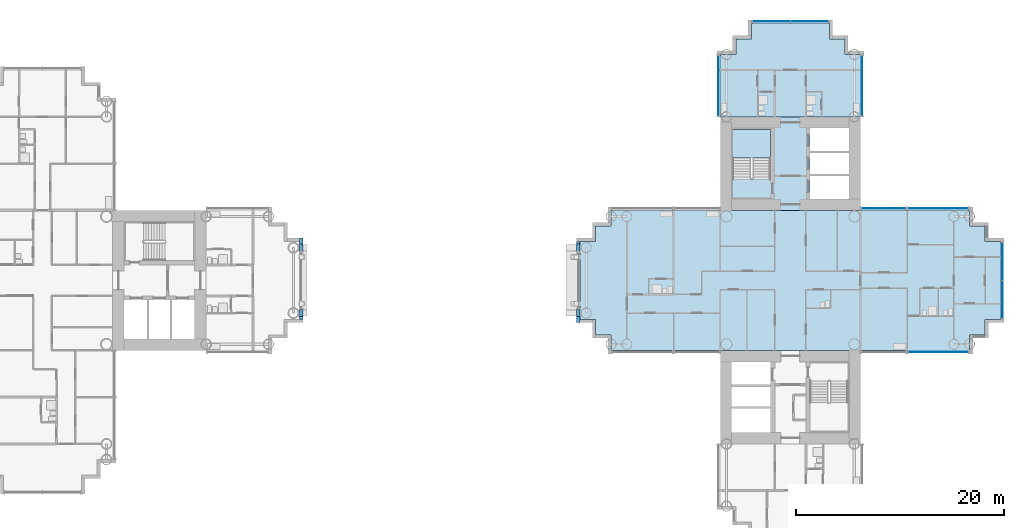
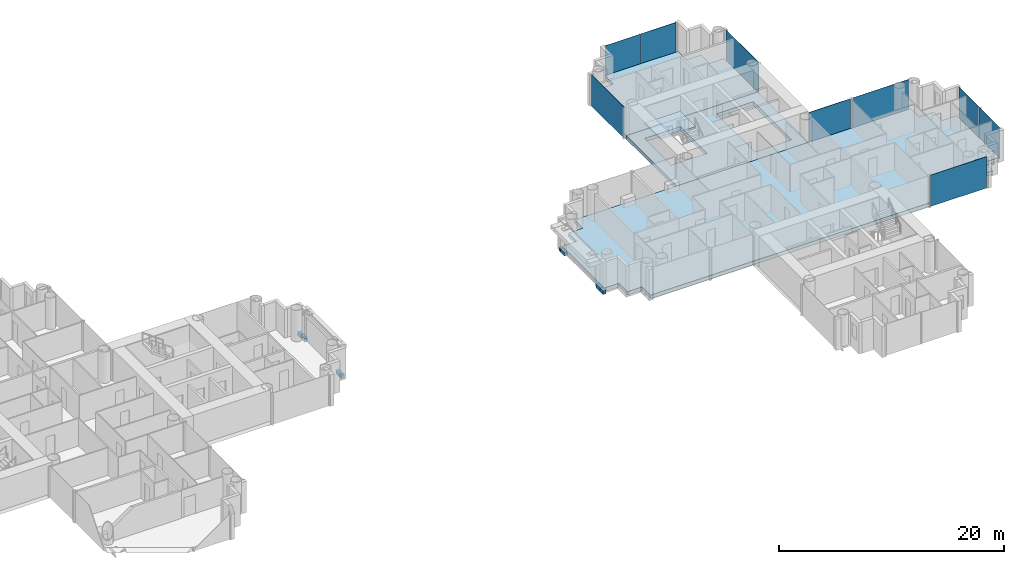
# One storey, part 8 of 22: 12 slabs, 9 plates, 8 elements without a shape of their own.
"""IFC4 building model written with IfcOpenShell, lengths in metres."""

from ifc_helpers import new_model, si_unit, direction, frame, origin, origin_2d, place, context, subcontext, project, spatial, polyline, rectangle, outline, extrude, material, layer, layer_set, type_object, element, aggregate, save


model = new_model("IFC4")

# Units and contexts
model_context = context("Model", 3, precision=1e-05, world=origin(), true_north=direction((0.0, 1.0)))
body_context = subcontext(model_context, "Body", "Model", "MODEL_VIEW")
ifc_project = project(units=[si_unit("LENGTHUNIT", "METRE"), si_unit("AREAUNIT", "SQUARE_METRE"), si_unit("VOLUMEUNIT", "CUBIC_METRE"), si_unit("PLANEANGLEUNIT", "RADIAN"), si_unit("MASSUNIT", "GRAM", prefix="KILO")], contexts=[model_context])

# Site, building, storey
site_placement = place(None, origin())
site = spatial("IfcSite", under=ifc_project, at=site_placement, CompositionType="ELEMENT")
building_placement = place(site_placement, origin())
building = spatial("IfcBuilding", under=site, at=building_placement, Name="Ipe Terrace Towers", CompositionType="ELEMENT")
storey_placement = place(building_placement, frame((0.0, 0.0, 68.699951171875)))
storey = spatial("IfcBuildingStorey", under=building, at=storey_placement, Name="L18", CompositionType="ELEMENT", Elevation=68.699951171875)

# Slab
ifc_material_1 = material(Name="Concrete C30/37", Category="concrete")
ifc_layer_1 = layer(ifc_material_1, 0.39990234375)
ifc_layer_set_1 = layer_set([ifc_layer_1], Name="CORE FLOOR SLAB 400 C30-37")
slab_type_1 = type_object("IfcSlabType", Name="CORE FLOOR SLAB 400 C30-37", PredefinedType="FLOOR", material=ifc_layer_set_1)
slab_1_placement = place(storey_placement, frame((0.0, 0.0, -0.39990234375)))
element("IfcSlab", 1, at=slab_1_placement, inside=storey, type_object=slab_type_1, Name="Core floor T2-C1", PredefinedType="FLOOR", context=body_context, shape_type="SweptSolid", body=[
    extrude(outline(polyline([(29.25, 6.75), (29.25, 15.75), (42.75, 15.75), (42.75, 6.75), (29.25, 6.75)]), holes=[polyline([(41.64990234375, 7.85009765625), (41.64990234375, 14.64990234375), (37.89990234375, 14.64990234375), (37.89990234375, 7.85009765625), (41.64990234375, 7.85009765625)]), polyline([(30.449951171875, 9.800048828125), (34.10009765625, 9.800048828125), (34.10009765625, 14.550048828125), (30.449951171875, 14.550048828125), (30.449951171875, 9.800048828125)])]), origin(), (0.0, 0.0, 1.0), 0.39990234375),
])

# Stair, slab
ifc_material_2 = material(Name="Concrete C30/37", Category="concrete")
stair_type = type_object("IfcStairType", Name="Protected exit stair", PredefinedType="HALF_TURN_STAIR", material=ifc_material_2)
stair_placement = place(storey_placement, origin())
stair = element("IfcStair", 2, at=stair_placement, inside=storey, type_object=stair_type, Name="L18 Exit stair T2-C1", PredefinedType="HALF_TURN_STAIR")
ifc_material_3 = material(Name="Concrete C30/37", Category="concrete")
ifc_layer_2 = layer(ifc_material_3, 0.199951171875)
ifc_layer_set_2 = layer_set([ifc_layer_2], Name="Exit stair landing 200")
slab_type_2 = type_object("IfcSlabType", Name="Exit stair landing 200", PredefinedType="LANDING", material=ifc_layer_set_2)
slab_2_placement = place(storey_placement, frame((0.0, 0.0, 1.5)))
slab_2 = element("IfcSlab", 3, at=slab_2_placement, type_object=slab_type_2, Name="T2-ST1 landing 1", PredefinedType="LANDING", context=body_context, shape_type="SweptSolid", body=[
    extrude(outline(polyline([(34.10009765625, 11.780029296875), (34.10009765625, 14.550048828125), (30.449951171875, 14.550048828125), (30.449951171875, 11.780029296875), (34.10009765625, 11.780029296875)])), origin(), (0.0, 0.0, 1.0), 0.199951171875),
])
aggregate(stair, [slab_2])

# Slabs
ifc_material_4 = material(Name="Concrete C40/50", Category="concrete")
ifc_layer_3 = layer(ifc_material_4, 0.39990234375)
ifc_layer_set_3 = layer_set([ifc_layer_3], Name="FLAT PLATE SLAB 400 C40-50")
slab_type_3 = type_object("IfcSlabType", Name="FLAT PLATE SLAB 400 C40-50", PredefinedType="FLOOR", material=ifc_layer_set_3)
slab_3_placement = place(storey_placement, frame((0.0, 0.0, -0.39990234375)))
element("IfcSlab", 4, at=slab_3_placement, inside=storey, type_object=slab_type_3, Name="Slab T2-FS-Z11", PredefinedType="FLOOR", context=body_context, shape_type="SweptSolid", body=[
    extrude(outline(polyline([(53.25, 5.25), (54.75, 5.25), (54.75, 3.75), (56.25, 3.75), (56.25, -3.75), (54.75, -3.75), (54.75, -5.25), (53.25, -5.25), (53.25, -6.75), (42.75, -6.75), (29.25, -6.75), (18.75, -6.75), (18.75, -5.25), (17.25, -5.25), (17.25, -3.75), (15.75, -3.75), (15.75, 3.75), (17.25, 3.75), (17.25, 5.25), (18.75, 5.25), (18.75, 6.75), (29.25, 6.75), (42.75, 6.75), (53.25, 6.75), (53.25, 5.25)])), origin(), (0.0, 0.0, 1.0), 0.39990234375),
])
slab_4_placement = place(storey_placement, frame((0.0, 0.0, -0.39990234375)))
element("IfcSlab", 5, at=slab_4_placement, inside=storey, type_object=slab_type_3, Name="Slab T2-FS-Z13", PredefinedType="FLOOR", context=body_context, shape_type="SweptSolid", body=[
    extrude(outline(polyline([(30.75, 21.75), (30.75, 23.25), (32.25, 23.25), (32.25, 24.75), (39.75, 24.75), (39.75, 23.25), (41.25, 23.25), (41.25, 21.75), (42.75, 21.75), (42.75, 15.75), (29.25, 15.75), (29.25, 21.75), (30.75, 21.75)])), origin(), (0.0, 0.0, 1.0), 0.39990234375),
])
slab_5_placement = place(storey_placement, frame((0.0, 0.0, -0.39990234375)))
element("IfcSlab", 6, at=slab_5_placement, inside=storey, type_object=slab_type_3, Name="Slab ledge", PredefinedType="FLOOR", context=body_context, shape_type="SweptSolid", body=[
    extrude(outline(polyline([(-11.25, -3.75), (-11.25, -3.5), (-10.929931640625, -3.5), (-10.929931640625, -3.75), (-11.25, -3.75)])), origin(), (0.0, 0.0, 1.0), 0.39990234375),
])
slab_6_placement = place(storey_placement, frame((0.0, 0.0, -0.39990234375)))
element("IfcSlab", 7, at=slab_6_placement, inside=storey, type_object=slab_type_3, Name="Slab ledge", PredefinedType="FLOOR", context=body_context, shape_type="SweptSolid", body=[
    extrude(outline(polyline([(-11.25, -3.5), (-11.25, -2.800048828125), (-10.929931640625, -2.800048828125), (-10.929931640625, -3.5), (-11.25, -3.5)])), origin(), (0.0, 0.0, 1.0), 0.39990234375),
])
slab_7_placement = place(storey_placement, frame((0.0, 0.0, -0.39990234375)))
element("IfcSlab", 8, at=slab_7_placement, inside=storey, type_object=slab_type_3, Name="Slab ledge", PredefinedType="FLOOR", context=body_context, shape_type="SweptSolid", body=[
    extrude(outline(polyline([(-11.25, 2.800048828125), (-11.25, 3.5), (-10.929931640625, 3.5), (-10.929931640625, 2.800048828125), (-11.25, 2.800048828125)])), origin(), (0.0, 0.0, 1.0), 0.39990234375),
])
slab_8_placement = place(storey_placement, frame((0.0, 0.0, -0.39990234375)))
element("IfcSlab", 9, at=slab_8_placement, inside=storey, type_object=slab_type_3, Name="Slab ledge", PredefinedType="FLOOR", context=body_context, shape_type="SweptSolid", body=[
    extrude(outline(polyline([(-11.25, 3.5), (-11.25, 4.070068359375), (-10.929931640625, 4.070068359375), (-10.929931640625, 3.5), (-11.25, 3.5)])), origin(), (0.0, 0.0, 1.0), 0.39990234375),
])
slab_9_placement = place(storey_placement, frame((0.0, 0.0, -0.39990234375)))
element("IfcSlab", 10, at=slab_9_placement, inside=storey, type_object=slab_type_3, Name="Slab ledge", PredefinedType="FLOOR", context=body_context, shape_type="SweptSolid", body=[
    extrude(outline(polyline([(15.75, 3.75), (15.75, 3.5), (15.429931640625, 3.5), (15.429931640625, 3.75), (15.75, 3.75)])), origin(), (0.0, 0.0, 1.0), 0.39990234375),
])
slab_10_placement = place(storey_placement, frame((0.0, 0.0, -0.39990234375)))
element("IfcSlab", 11, at=slab_10_placement, inside=storey, type_object=slab_type_3, Name="Slab ledge", PredefinedType="FLOOR", context=body_context, shape_type="SweptSolid", body=[
    extrude(outline(polyline([(15.75, 3.5), (15.75, 2.800048828125), (15.429931640625, 2.800048828125), (15.429931640625, 3.5), (15.75, 3.5)])), origin(), (0.0, 0.0, 1.0), 0.39990234375),
])
slab_11_placement = place(storey_placement, frame((0.0, 0.0, -0.39990234375)))
element("IfcSlab", 12, at=slab_11_placement, inside=storey, type_object=slab_type_3, Name="Slab ledge", PredefinedType="FLOOR", context=body_context, shape_type="SweptSolid", body=[
    extrude(outline(polyline([(15.75, -2.800048828125), (15.75, -3.5), (15.429931640625, -3.5), (15.429931640625, -2.800048828125), (15.75, -2.800048828125)])), origin(), (0.0, 0.0, 1.0), 0.39990234375),
])
slab_12_placement = place(storey_placement, frame((0.0, 0.0, -0.39990234375)))
element("IfcSlab", 13, at=slab_12_placement, inside=storey, type_object=slab_type_3, Name="Slab ledge", PredefinedType="FLOOR", context=body_context, shape_type="SweptSolid", body=[
    extrude(outline(polyline([(15.75, -3.5), (15.75, -4.070068359375), (15.429931640625, -4.070068359375), (15.429931640625, -3.5), (15.75, -3.5)])), origin(), (0.0, 0.0, 1.0), 0.39990234375),
])

# Curtain wall, plate
ifc_material_5 = material(Name="Aluminium alloy 6063-T6", Category="aluminium")
ifc_layer_4 = layer(ifc_material_5, 0.320068359375)
ifc_layer_set_4 = layer_set([ifc_layer_4], Name="TOWER UNITISED CURTAIN WALL")
curtain_wall_type = type_object("IfcCurtainWallType", Name="TOWER UNITISED CURTAIN WALL", PredefinedType="NOTDEFINED", material=ifc_layer_set_4)
curtain_wall_1_placement = place(storey_placement, origin())
curtain_wall_1 = element("IfcCurtainWall", 14, at=curtain_wall_1_placement, inside=storey, type_object=curtain_wall_type, Name="T2-CW-L18-07a curtain wall", PredefinedType="NOTDEFINED")
ifc_material_6 = material(Name="Glass, clear laminated", Category="glass")
ifc_layer_5 = layer(ifc_material_6, 0.031982421875)
ifc_layer_set_5 = layer_set([ifc_layer_5], Name="TOWER UNITISED GLASS PANEL 32")
plate_type = type_object("IfcPlateType", Name="TOWER UNITISED GLASS PANEL 32", PredefinedType="CURTAIN_PANEL", material=ifc_layer_set_5)
plate_1_placement = place(storey_placement, frame((50.25, -6.909912109375, -0.2998046875), z_axis=(0.0, 0.0, 1.0), x_axis=(1.0, 0.0, 0.0)))
plate_1 = element("IfcPlate", 15, at=plate_1_placement, type_object=plate_type, Name="T2-CW-L18-07a panel 1", PredefinedType="CURTAIN_PANEL", context=body_context, shape_type="SweptSolid", body=[
    extrude(rectangle(XDim=5.760009765625, YDim=0.031982421875, at=origin_2d()), origin(), (0.0, 0.0, 1.0), 3.39990234375),
])
aggregate(curtain_wall_1, [plate_1])

# Curtain wall, plates
curtain_wall_2_placement = place(storey_placement, origin())
curtain_wall_2 = element("IfcCurtainWall", 16, at=curtain_wall_2_placement, inside=storey, type_object=curtain_wall_type, Name="T2-CW-L18-12a curtain wall", PredefinedType="NOTDEFINED")
plate_2_placement = place(storey_placement, frame((56.409912109375, -1.831298828125, -0.2998046875), z_axis=(0.0, 0.0, 1.0), x_axis=(0.0, 1.0, 0.0)))
plate_2 = element("IfcPlate", 17, at=plate_2_placement, type_object=plate_type, Name="T2-CW-L18-12a panel 1", PredefinedType="CURTAIN_PANEL", context=body_context, shape_type="SweptSolid", body=[
    extrude(rectangle(XDim=3.597412109375, YDim=0.031982421875, at=origin_2d()), origin(), (0.0, 0.0, 1.0), 3.39990234375),
])
plate_3_placement = place(storey_placement, frame((56.409912109375, 1.831298828125, -0.2998046875), z_axis=(0.0, 0.0, 1.0), x_axis=(0.0, 1.0, 0.0)))
plate_3 = element("IfcPlate", 18, at=plate_3_placement, type_object=plate_type, Name="T2-CW-L18-12a panel 2", PredefinedType="CURTAIN_PANEL", context=body_context, shape_type="SweptSolid", body=[
    extrude(rectangle(XDim=3.597412109375, YDim=0.031982421875, at=origin_2d()), origin(), (0.0, 0.0, 1.0), 3.39990234375),
])
aggregate(curtain_wall_2, [plate_2, plate_3])

# Curtain wall, plate
curtain_wall_3_placement = place(storey_placement, origin())
curtain_wall_3 = element("IfcCurtainWall", 19, at=curtain_wall_3_placement, inside=storey, type_object=curtain_wall_type, Name="T2-CW-L18-17a curtain wall", PredefinedType="NOTDEFINED")
plate_4_placement = place(storey_placement, frame((50.25, 6.909912109375, -0.2998046875), z_axis=(0.0, 0.0, 1.0), x_axis=(-1.0, 0.0, 0.0)))
plate_4 = element("IfcPlate", 20, at=plate_4_placement, type_object=plate_type, Name="T2-CW-L18-17a panel 1", PredefinedType="CURTAIN_PANEL", context=body_context, shape_type="SweptSolid", body=[
    extrude(rectangle(XDim=5.760009765625, YDim=0.031982421875, at=origin_2d()), origin(), (0.0, 0.0, 1.0), 3.39990234375),
])
aggregate(curtain_wall_3, [plate_4])

curtain_wall_4_placement = place(storey_placement, origin())
curtain_wall_4 = element("IfcCurtainWall", 21, at=curtain_wall_4_placement, inside=storey, type_object=curtain_wall_type, Name="T2-CW-L18-18a curtain wall", PredefinedType="NOTDEFINED")
plate_5_placement = place(storey_placement, frame((45.0, 6.909912109375, -0.2998046875), z_axis=(0.0, 0.0, 1.0), x_axis=(-1.0, 0.0, 0.0)))
plate_5 = element("IfcPlate", 22, at=plate_5_placement, type_object=plate_type, Name="T2-CW-L18-18a panel 1", PredefinedType="CURTAIN_PANEL", context=body_context, shape_type="SweptSolid", body=[
    extrude(rectangle(XDim=4.260009765625, YDim=0.031982421875, at=origin_2d()), origin(), (0.0, 0.0, 1.0), 3.39990234375),
])
aggregate(curtain_wall_4, [plate_5])

curtain_wall_5_placement = place(storey_placement, origin())
curtain_wall_5 = element("IfcCurtainWall", 23, at=curtain_wall_5_placement, inside=storey, type_object=curtain_wall_type, Name="T2-CW-L18-20b curtain wall", PredefinedType="NOTDEFINED")
plate_6_placement = place(storey_placement, frame((42.909912109375, 18.75048828125, -0.2998046875), z_axis=(0.0, 0.0, 1.0), x_axis=(0.0, 1.0, 0.0)))
plate_6 = element("IfcPlate", 24, at=plate_6_placement, type_object=plate_type, Name="T2-CW-L18-20b panel 1", PredefinedType="CURTAIN_PANEL", context=body_context, shape_type="SweptSolid", body=[
    extrude(rectangle(XDim=5.759033203125, YDim=0.031982421875, at=origin_2d()), origin(), (0.0, 0.0, 1.0), 3.39990234375),
])
aggregate(curtain_wall_5, [plate_6])

# Curtain wall, plates
curtain_wall_6_placement = place(storey_placement, origin())
curtain_wall_6 = element("IfcCurtainWall", 25, at=curtain_wall_6_placement, inside=storey, type_object=curtain_wall_type, Name="T2-CW-L18-25a curtain wall", PredefinedType="NOTDEFINED")
plate_7_placement = place(storey_placement, frame((37.831298828125, 24.909912109375, -0.2998046875), z_axis=(0.0, 0.0, 1.0), x_axis=(-1.0, 0.0, 0.0)))
plate_7 = element("IfcPlate", 26, at=plate_7_placement, type_object=plate_type, Name="T2-CW-L18-25a panel 1", PredefinedType="CURTAIN_PANEL", context=body_context, shape_type="SweptSolid", body=[
    extrude(rectangle(XDim=3.597412109375, YDim=0.031982421875, at=origin_2d()), origin(), (0.0, 0.0, 1.0), 3.39990234375),
])
plate_8_placement = place(storey_placement, frame((34.168701171875, 24.909912109375, -0.2998046875), z_axis=(0.0, 0.0, 1.0), x_axis=(-1.0, 0.0, 0.0)))
plate_8 = element("IfcPlate", 27, at=plate_8_placement, type_object=plate_type, Name="T2-CW-L18-25a panel 2", PredefinedType="CURTAIN_PANEL", context=body_context, shape_type="SweptSolid", body=[
    extrude(rectangle(XDim=3.597412109375, YDim=0.031982421875, at=origin_2d()), origin(), (0.0, 0.0, 1.0), 3.39990234375),
])
aggregate(curtain_wall_6, [plate_7, plate_8])

# Curtain wall, plate
curtain_wall_7_placement = place(storey_placement, origin())
curtain_wall_7 = element("IfcCurtainWall", 28, at=curtain_wall_7_placement, inside=storey, type_object=curtain_wall_type, Name="T2-CW-L18-30a curtain wall", PredefinedType="NOTDEFINED")
plate_9_placement = place(storey_placement, frame((29.090087890625, 18.75048828125, -0.2998046875), z_axis=(0.0, 0.0, 1.0), x_axis=(0.0, -1.0, 0.0)))
plate_9 = element("IfcPlate", 29, at=plate_9_placement, type_object=plate_type, Name="T2-CW-L18-30a panel 1", PredefinedType="CURTAIN_PANEL", context=body_context, shape_type="SweptSolid", body=[
    extrude(rectangle(XDim=5.759033203125, YDim=0.031982421875, at=origin_2d()), origin(), (0.0, 0.0, 1.0), 3.39990234375),
])
aggregate(curtain_wall_7, [plate_9])

save(model, "model.ifc")
